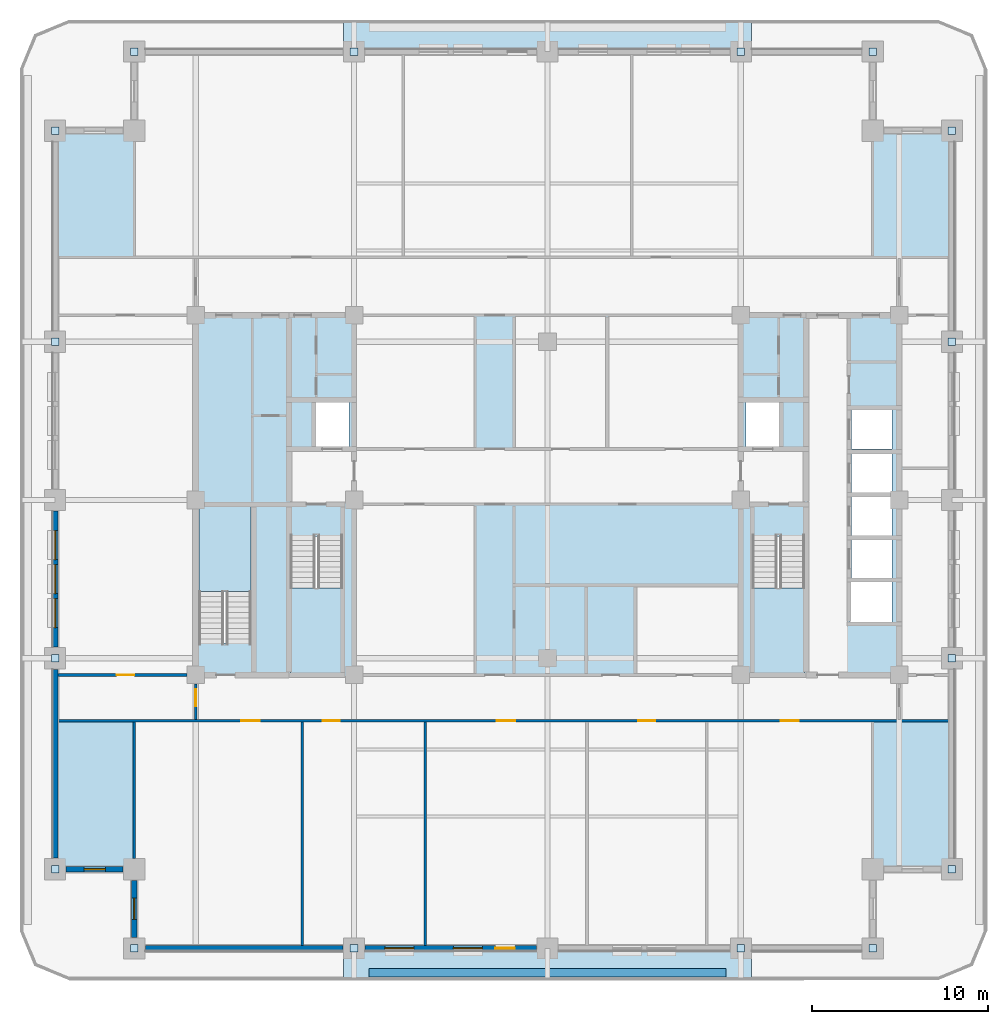
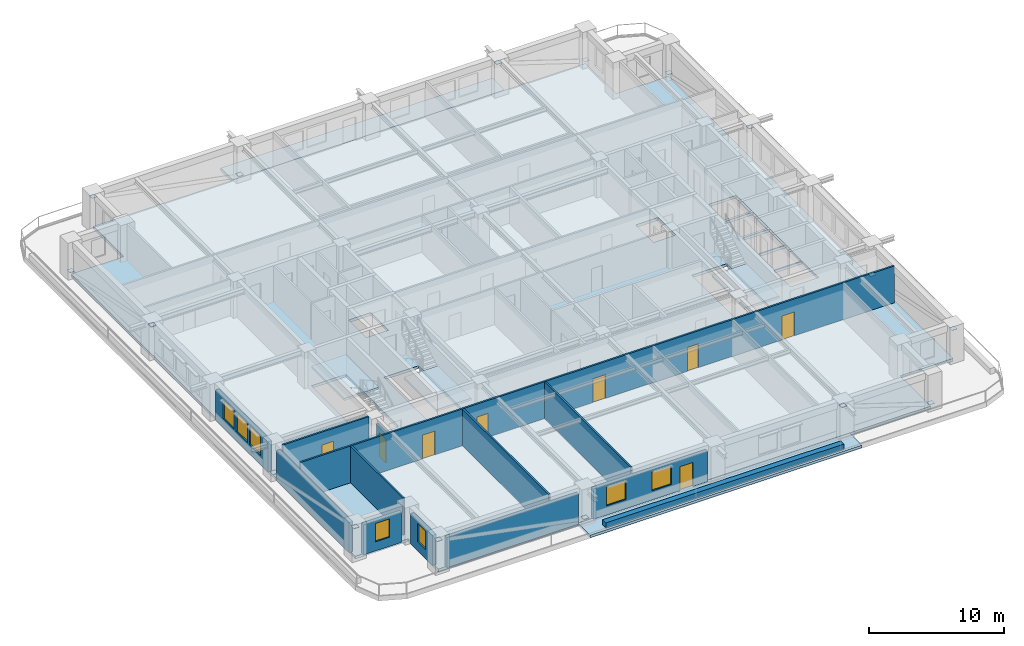
# One storey, part 2 of 15: 16 plates, 13 walls, 8 doors, 7 windows, 6 slabs, 15 openings, 3 elements without a shape of their own.
"""IFC4 building model written with IfcOpenShell, lengths in metres."""

import ifcopenshell
import ifcopenshell.guid

model = None  # the IFC model being written
_history = None  # IfcOwnerHistory: only IFC2X3 demands one
_inside = {}  # id of a spatial element -> (the spatial element, [elements in it])
_under = {}  # id of a project, library or spatial element -> (it, [spatial elements below it])
_declared = {}  # id of a project -> (the project, [libraries it declares])
_typed = {}  # id of a type object -> (the type object, [elements of that type])
_made_of = {}  # id of a material, layer set ... -> (it, [elements and type objects made of it])


def new_model(schema):
    """Start an empty IFC model of exactly this schema.

    Asked for "IFC4X3", IfcOpenShell would pick the latest addendum, in which some entities
    have other attributes; the version numbers below select the first issue.
    IFC2X3 requires an IfcOwnerHistory on every rooted entity: one is made here for all.
    """
    global model, _history
    if schema == "IFC4X3":
        model = ifcopenshell.file(schema_version=(4, 3, 0, 0))
    else:
        model = ifcopenshell.file(schema=schema)
    _inside.clear()
    _under.clear()
    _declared.clear()
    _typed.clear()
    _made_of.clear()
    _history = None
    if model.schema == "IFC2X3":
        org = make("IfcOrganization", Name="unknown")
        user = make(
            "IfcPersonAndOrganization",
            ThePerson=make("IfcPerson", FamilyName="unknown"),
            TheOrganization=org,
        )
        app = make(
            "IfcApplication",
            ApplicationDeveloper=org,
            Version="unknown",
            ApplicationFullName="unknown",
            ApplicationIdentifier="unknown",
        )
        _history = make(
            "IfcOwnerHistory",
            OwningUser=user,
            OwningApplication=app,
            ChangeAction="ADDED",
            CreationDate=0,
        )
    return model


def make(cls, **values):
    """One entity of the class cls with the attributes given. An attribute that is None is left unset."""
    return model.create_entity(
        cls, **{name: value for name, value in values.items() if value is not None}
    )


def rooted(cls, **values):
    """An entity with a GlobalId (a new one), such as an element, a storey or a relation."""
    return make(cls, GlobalId=ifcopenshell.guid.new(), OwnerHistory=_history, **values)


def si_unit(unit_type, name, prefix=None):
    """IfcSIUnit, for example si_unit("LENGTHUNIT", "METRE", prefix="MILLI")."""
    return make("IfcSIUnit", UnitType=unit_type, Prefix=prefix, Name=name)


def assignment(units):
    """IfcUnitAssignment: the units of a project."""
    return None if units is None else make("IfcUnitAssignment", Units=units)


def point(xyz):
    """IfcCartesianPoint."""
    return None if xyz is None else make("IfcCartesianPoint", Coordinates=xyz)


def direction(xyz):
    """IfcDirection."""
    return None if xyz is None else make("IfcDirection", DirectionRatios=xyz)


def frame(location, z_axis=None, x_axis=None):
    """IfcAxis2Placement3D, a coordinate frame: its origin and axes. An axis left out is left unset."""
    return make(
        "IfcAxis2Placement3D",
        Location=point(location),
        Axis=direction(z_axis),
        RefDirection=direction(x_axis),
    )


def frame_2d(location, x_axis=None):
    """IfcAxis2Placement2D, a coordinate frame in the plane: its origin and x axis."""
    return make(
        "IfcAxis2Placement2D", Location=point(location), RefDirection=direction(x_axis)
    )


def origin():
    """The frame at (0, 0, 0) with its axes left unset."""
    return frame((0.0, 0.0, 0.0))


def origin_2d():
    """The frame at (0, 0) in the plane with its x axis left unset."""
    return frame_2d((0.0, 0.0))


def place(relative_to, where):
    """IfcLocalPlacement: puts the frame where relative to a parent placement (None: the world)."""
    return make(
        "IfcLocalPlacement", PlacementRelTo=relative_to, RelativePlacement=where
    )


def context(
    kind, dimensions, precision=None, world=None, true_north=None, identifier=None
):
    """IfcGeometricRepresentationContext, for example the 3D "Model" context."""
    return make(
        "IfcGeometricRepresentationContext",
        ContextIdentifier=identifier,
        ContextType=kind,
        CoordinateSpaceDimension=dimensions,
        Precision=precision,
        WorldCoordinateSystem=world,
        TrueNorth=true_north,
    )


def subcontext(parent, identifier, kind, view, scale=None):
    """IfcGeometricRepresentationSubContext, for example "Body" below "Model"."""
    return make(
        "IfcGeometricRepresentationSubContext",
        ContextIdentifier=identifier,
        ContextType=kind,
        ParentContext=parent,
        TargetScale=scale,
        TargetView=view,
    )


def project(units=None, contexts=None):
    """IfcProject with its units and contexts."""
    return rooted(
        "IfcProject",
        Name="project",
        RepresentationContexts=contexts,
        UnitsInContext=assignment(units),
    )


def spatial(cls, under=None, at=None, **own):
    """A site, building, storey or space (cls), placed at a placement, below another one or the project."""
    s = rooted(cls, ObjectPlacement=at, **own)
    if under is not None:
        _under.setdefault(under.id(), (under, []))[1].append(s)
    return s


def polyline(points):
    """IfcPolyline through the points."""
    return make("IfcPolyline", Points=[point(p) for p in points])


def profile(cls, at=None, kind="AREA", **sizes):
    """A parametric profile (cls). Its sizes go by their IFC names, for example OverallWidth=200.0."""
    return make(cls, ProfileType=kind, Position=at, **sizes)


def rectangle(**sizes):
    """IfcRectangleProfileDef."""
    return profile("IfcRectangleProfileDef", **sizes)


def outline(outer, holes=None, kind="AREA"):
    """IfcArbitraryClosedProfileDef: a profile drawn as a closed curve; with holes, ...WithVoids."""
    if holes is None:
        return make("IfcArbitraryClosedProfileDef", ProfileType=kind, OuterCurve=outer)
    return make(
        "IfcArbitraryProfileDefWithVoids",
        ProfileType=kind,
        OuterCurve=outer,
        InnerCurves=holes,
    )


def extrude(swept, where, along, depth):
    """IfcExtrudedAreaSolid: the profile swept, set in the frame where, extruded along a direction by depth."""
    return make(
        "IfcExtrudedAreaSolid",
        SweptArea=swept,
        Position=where,
        ExtrudedDirection=direction(along),
        Depth=depth,
    )


def shape(context_of_items, identifier, shape_type, items):
    """IfcShapeRepresentation: the items that make up one representation, for example the "Body"."""
    return make(
        "IfcShapeRepresentation",
        ContextOfItems=context_of_items,
        RepresentationIdentifier=identifier,
        RepresentationType=shape_type,
        Items=items,
    )


def material(Name=None, Category=None):
    """IfcMaterial."""
    return make("IfcMaterial", Name=Name, Category=Category)


def layer(
    of_material, thickness, ventilated=None, Name=None, Category=None, Priority=None
):
    """IfcMaterialLayer: one layer of a wall or slab, of a material (None: an air gap)."""
    return make(
        "IfcMaterialLayer",
        Material=of_material,
        LayerThickness=thickness,
        IsVentilated=ventilated,
        Name=Name,
        Category=Category,
        Priority=Priority,
    )


def layer_set(layers, Name=None):
    """IfcMaterialLayerSet."""
    return make("IfcMaterialLayerSet", MaterialLayers=layers, LayerSetName=Name)


def made_of(thing, what):
    """Note that an element or type object is made of a material, layer set ...; save() writes the relation."""
    if what is not None:
        _made_of.setdefault(what.id(), (what, []))[1].append(thing)
    return thing


def type_object(cls, material=None, **own):
    """A type object (cls), such as IfcWallType, which elements share."""
    return made_of(rooted(cls, **own), material)


def element(
    cls,
    number,
    at=None,
    inside=None,
    cuts=None,
    type_object=None,
    material=None,
    context=None,
    identifier="Body",
    shape_type=None,
    held_by="IfcProductDefinitionShape",
    body=None,
    shapes=None,
    **own,
):
    """One element of the class cls, such as IfcWall. Its Tag is "e" and its number.

    at: its placement. inside: the storey or other place that contains it. cuts: it is an
    opening in that element (IfcRelVoidsElement). A single representation is given by context,
    identifier, shape_type and body (its items); several are given by shapes. held_by: the class
    of the entity that holds the representations. save() writes the other relations.
    """
    e = rooted(cls, Tag="e%d" % number, ObjectPlacement=at, **own)
    if body is not None:
        shapes = [shape(context, identifier, shape_type, body)]
    if shapes is not None:
        e.Representation = make(held_by, Representations=shapes)
    if inside is not None:
        _inside.setdefault(inside.id(), (inside, []))[1].append(e)
    if cuts is not None:
        rooted(
            "IfcRelVoidsElement", RelatingBuildingElement=cuts, RelatedOpeningElement=e
        )
    if type_object is not None:
        _typed.setdefault(type_object.id(), (type_object, []))[1].append(e)
    return made_of(e, material)


def fill(opening, filler):
    """IfcRelFillsElement: the door or window that sits in an opening."""
    return rooted(
        "IfcRelFillsElement",
        RelatingOpeningElement=opening,
        RelatedBuildingElement=filler,
    )


def aggregate(whole, parts):
    """IfcRelAggregates: a whole, such as a stair, and the parts it consists of."""
    return rooted("IfcRelAggregates", RelatingObject=whole, RelatedObjects=parts)


def save(model, path):
    """Write the relations noted so far, then the file.

    IfcRelAggregates (storeys below a building ...), IfcRelContainedInSpatialStructure (elements
    in a storey), IfcRelDefinesByType, IfcRelAssociatesMaterial and IfcRelDeclares: one each for
    every whole, place, type object, material and project.
    """
    for whole, parts in _under.values():
        aggregate(whole, parts)
    for where, things in _inside.values():
        rooted(
            "IfcRelContainedInSpatialStructure",
            RelatedElements=things,
            RelatingStructure=where,
        )
    for kind, things in _typed.values():
        rooted("IfcRelDefinesByType", RelatedObjects=things, RelatingType=kind)
    for what, things in _made_of.values():
        rooted("IfcRelAssociatesMaterial", RelatedObjects=things, RelatingMaterial=what)
    for by, libraries in _declared.values():
        rooted("IfcRelDeclares", RelatingContext=by, RelatedDefinitions=libraries)
    model.write(path)


model = new_model("IFC4")

# Units and contexts
model_context = context("Model", 3, precision=1e-05, world=origin(), true_north=direction((0.0, 1.0)))
body_context = subcontext(model_context, "Body", "Model", "MODEL_VIEW")
ifc_project = project(units=[si_unit("LENGTHUNIT", "METRE"), si_unit("AREAUNIT", "SQUARE_METRE"), si_unit("VOLUMEUNIT", "CUBIC_METRE"), si_unit("PLANEANGLEUNIT", "RADIAN"), si_unit("MASSUNIT", "GRAM", prefix="KILO")], contexts=[model_context])

# Site, building, storey
site_placement = place(None, origin())
site = spatial("IfcSite", under=ifc_project, at=site_placement, CompositionType="ELEMENT")
building_placement = place(site_placement, origin())
building = spatial("IfcBuilding", under=site, at=building_placement, Name="Zulmaris Gate Convention Tower", CompositionType="ELEMENT")
storey_placement = place(building_placement, frame((0.0, 0.0, 132.059814453125)))
storey = spatial("IfcBuildingStorey", under=building, at=storey_placement, Name="L33", CompositionType="ELEMENT", Elevation=132.059814453125)

# Plates
ifc_material_1 = material(Name="Steel S460", Category="steel")
ifc_layer_1 = layer(ifc_material_1, 0.02490234375, Name="Steel S460")
ifc_layer_set_1 = layer_set([ifc_layer_1], Name="Steel S460")
plate_type = type_object("IfcPlateType", Name="NP-CAP-440", PredefinedType="USERDEFINED", material=ifc_layer_set_1)
for number, where, z_axis, x_axis, name in (
    (1, (-28.0, -9.0, 0.28759765625), (0.0, 0.0, 1.0), (1.0, 0.0, 0.0), "L33 Steel Node Plate PBR-L33-SW-W-CAP"),
    (2, (-28.0, -21.0, 2.687744140625), (0.0, 0.0, 1.0), (1.0, 0.0, 0.0), "L33 Steel Node Plate PBR-L33-SW-W-CAPB"),
    (3, (-28.0, 21.0, 0.28759765625), (0.0, 0.0, 1.0), (1.0, 0.0, 0.0), "L33 Steel Node Plate PBR-L33-NW-W-CAP"),
    (4, (-28.0, 9.0, 2.687744140625), (0.0, 0.0, 1.0), (1.0, 0.0, 0.0), "L33 Steel Node Plate PBR-L33-NW-W-CAPB"),
    (5, (23.0, -9.0, 0.28759765625), (0.0, 0.0, 1.0), (1.0, 0.0, 0.0), "L33 Steel Node Plate PBR-L33-SE-E-CAP"),
    (6, (23.0, -21.0, 2.687744140625), (0.0, 0.0, 1.0), (1.0, 0.0, 0.0), "L33 Steel Node Plate PBR-L33-SE-E-CAPB"),
    (7, (23.0, 21.0, 0.28759765625), (0.0, 0.0, 1.0), (1.0, 0.0, 0.0), "L33 Steel Node Plate PBR-L33-NE-E-CAP"),
    (8, (23.0, 9.0, 2.687744140625), (0.0, 0.0, 1.0), (1.0, 0.0, 0.0), "L33 Steel Node Plate PBR-L33-NE-E-CAPB"),
    (9, (-11.0, -25.5, 0.28759765625), (0.0, 0.0, 1.0), (1.0, 0.0, 0.0), "L33 Steel Node Plate PBR-L33-SW-S-CAP"),
    (10, (-23.5, -25.5, 2.687744140625), (0.0, 0.0, 1.0), (1.0, 0.0, 0.0), "L33 Steel Node Plate PBR-L33-SW-S-CAPB"),
    (11, (18.5, -25.5, 0.28759765625), (0.0, 0.0, 1.0), (1.0, 0.0, 0.0), "L33 Steel Node Plate PBR-L33-SE-S-CAP"),
    (12, (11.0, -25.5, 2.687744140625), (0.0, 0.0, 1.0), (1.0, 0.0, 0.0), "L33 Steel Node Plate PBR-L33-SE-S-CAPB"),
    (13, (-11.0, 25.5, 0.28759765625), (0.0, 0.0, 1.0), (1.0, 0.0, 0.0), "L33 Steel Node Plate PBR-L33-NW-N-CAP"),
    (14, (-23.5, 25.5, 2.687744140625), (0.0, 0.0, 1.0), (1.0, 0.0, 0.0), "L33 Steel Node Plate PBR-L33-NW-N-CAPB"),
    (15, (18.5, 25.5, 0.28759765625), (0.0, 0.0, 1.0), (1.0, 0.0, 0.0), "L33 Steel Node Plate PBR-L33-NE-N-CAP"),
    (16, (11.0, 25.5, 2.687744140625), (0.0, 0.0, 1.0), (1.0, 0.0, 0.0), "L33 Steel Node Plate PBR-L33-NE-N-CAPB"),
):
    element("IfcPlate", number, at=place(storey_placement, frame(where, z_axis=z_axis, x_axis=x_axis)), inside=storey, type_object=plate_type, Name=name, ObjectType="FLANGE PLATE", PredefinedType="USERDEFINED", context=body_context, shape_type="SweptSolid", body=[
        extrude(rectangle(XDim=0.43994140625, YDim=0.43994140625, at=origin_2d()), origin(), (0.0, 0.0, 1.0), 0.02490234375),
    ])

# Slabs
ifc_material_2 = material(Name="Precast concrete C50/60", Category="concrete")
ifc_layer_2 = layer(ifc_material_2, 0.239990234375, Name="Precast concrete C50/60")
ifc_layer_set_2 = layer_set([ifc_layer_2], Name="Precast concrete C50/60")
slab_type_1 = type_object("IfcSlabType", Name="SL-BAL-240", PredefinedType="FLOOR", material=ifc_layer_set_2)
slab_1_placement = place(storey_placement, frame((0.0, 0.0, -0.25)))
element("IfcSlab", 17, at=slab_1_placement, inside=storey, type_object=slab_type_1, Name="L33 South Tree-Balcony Planter Slab", PredefinedType="FLOOR", context=body_context, shape_type="SweptSolid", body=[
    extrude(outline(polyline([(-11.597900390625, -27.300048828125), (-11.597900390625, -25.5), (11.597900390625, -25.5), (11.597900390625, -27.300048828125), (-11.597900390625, -27.300048828125)])), origin(), (0.0, 0.0, 1.0), 0.239990234375),
])
slab_2_placement = place(storey_placement, frame((0.0, 0.0, -0.25)))
element("IfcSlab", 18, at=slab_2_placement, inside=storey, type_object=slab_type_1, Name="L33 North Tree-Balcony Planter Slab", PredefinedType="FLOOR", context=body_context, shape_type="SweptSolid", body=[
    extrude(outline(polyline([(11.597900390625, 27.300048828125), (11.597900390625, 25.5), (-11.597900390625, 25.5), (-11.597900390625, 27.300048828125), (11.597900390625, 27.300048828125)])), origin(), (0.0, 0.0, 1.0), 0.239990234375),
])
ifc_material_3 = material(Name="Concrete C50/60", Category="concrete")
ifc_layer_3 = layer(ifc_material_3, 0.25, Name="Concrete C50/60")
ifc_layer_set_3 = layer_set([ifc_layer_3], Name="Concrete C50/60")
slab_type_2 = type_object("IfcSlabType", Name="SL-FLR-250", PredefinedType="FLOOR", material=ifc_layer_set_3)
slab_3_placement = place(storey_placement, frame((0.0, 0.0, -0.25)))
element("IfcSlab", 19, at=slab_3_placement, inside=storey, type_object=slab_type_2, Name="L33 Shifted Notched-Square Structural Floor Slab", PredefinedType="FLOOR", context=body_context, shape_type="SweptSolid", body=[
    extrude(outline(polyline([(-23.5, -25.5), (18.5, -25.5), (18.5, -21.0), (23.0, -21.0), (23.0, 21.0), (18.5, 21.0), (18.5, 25.5), (-23.5, 25.5), (-23.5, 21.0), (-28.0, 21.0), (-28.0, -21.0), (-23.5, -21.0), (-23.5, -25.5)]), holes=[polyline([(-14.6201171875, -2.080078125), (-14.6201171875, -9.85009765625), (-11.659912109375, -9.85009765625), (-11.659912109375, -2.080078125), (-14.6201171875, -2.080078125)]), polyline([(11.659912109375, -2.080078125), (11.659912109375, -9.85009765625), (14.6201171875, -9.85009765625), (14.6201171875, -2.080078125), (11.659912109375, -2.080078125)]), polyline([(-16.860107421875, -8.1201171875), (-16.860107421875, -0.35009765625), (-19.820068359375, -0.35009765625), (-19.820068359375, -8.1201171875), (-16.860107421875, -8.1201171875)]), polyline([(-13.199951171875, 3.0), (-11.300048828125, 3.0), (-11.300048828125, 5.60009765625), (-13.199951171875, 5.60009765625), (-13.199951171875, 3.0)]), polyline([(11.300048828125, 3.0), (13.199951171875, 3.0), (13.199951171875, 5.60009765625), (11.300048828125, 5.60009765625), (11.300048828125, 3.0)]), polyline([(17.199951171875, -7.0), (19.60009765625, -7.0), (19.60009765625, -4.60009765625), (17.199951171875, -4.60009765625), (17.199951171875, -7.0)]), polyline([(17.300048828125, -4.5), (19.60009765625, -4.5), (19.60009765625, -2.199951171875), (17.300048828125, -2.199951171875), (17.300048828125, -4.5)]), polyline([(17.300048828125, -2.10009765625), (19.60009765625, -2.10009765625), (19.60009765625, 0.199951171875), (17.300048828125, 0.199951171875), (17.300048828125, -2.10009765625)]), polyline([(17.300048828125, 0.39990234375), (19.60009765625, 0.39990234375), (19.60009765625, 2.699951171875), (17.300048828125, 2.699951171875), (17.300048828125, 0.39990234375)]), polyline([(17.300048828125, 2.89990234375), (19.60009765625, 2.89990234375), (19.60009765625, 5.199951171875), (17.300048828125, 5.199951171875), (17.300048828125, 2.89990234375)])]), origin(), (0.0, 0.0, 1.0), 0.25),
])

# Stair, slab
ifc_material_4 = material(Name="Concrete C45/55", Category="concrete")
stair_type = type_object("IfcStairType", Name="ST-CORE-DOGLEG", PredefinedType="HALF_TURN_STAIR", material=ifc_material_4)
stair_1_placement = place(storey_placement, origin())
stair_1 = element("IfcStair", 20, at=stair_1_placement, inside=storey, type_object=stair_type, Name="L33 Core Exit Stair ST-1", PredefinedType="HALF_TURN_STAIR")
ifc_layer_4 = layer(ifc_material_4, 0.199951171875, Name="Concrete C45/55")
ifc_layer_set_4 = layer_set([ifc_layer_4], Name="Concrete C45/55")
slab_type_3 = type_object("IfcSlabType", Name="SL-LND-200", PredefinedType="LANDING", material=ifc_layer_set_4)
slab_4_placement = place(storey_placement, frame((0.0, 0.0, 1.5849609375)))
slab_4 = element("IfcSlab", 21, at=slab_4_placement, type_object=slab_type_3, Name="ST-1 landing 1", PredefinedType="LANDING", context=body_context, shape_type="SweptSolid", body=[
    extrude(outline(polyline([(-14.6201171875, -5.0), (-14.6201171875, -9.85009765625), (-11.659912109375, -9.85009765625), (-11.659912109375, -5.0), (-14.6201171875, -5.0)])), origin(), (0.0, 0.0, 1.0), 0.2001953125),
])
aggregate(stair_1, [slab_4])

stair_2_placement = place(storey_placement, origin())
stair_2 = element("IfcStair", 22, at=stair_2_placement, inside=storey, type_object=stair_type, Name="L33 Core Exit Stair ST-2", PredefinedType="HALF_TURN_STAIR")
slab_5_placement = place(storey_placement, frame((0.0, 0.0, 1.5849609375)))
slab_5 = element("IfcSlab", 23, at=slab_5_placement, type_object=slab_type_3, Name="ST-2 landing 1", PredefinedType="LANDING", context=body_context, shape_type="SweptSolid", body=[
    extrude(outline(polyline([(11.659912109375, -5.0), (11.659912109375, -9.85009765625), (14.6201171875, -9.85009765625), (14.6201171875, -5.0), (11.659912109375, -5.0)])), origin(), (0.0, 0.0, 1.0), 0.2001953125),
])
aggregate(stair_2, [slab_5])

stair_3_placement = place(storey_placement, origin())
stair_3 = element("IfcStair", 24, at=stair_3_placement, inside=storey, type_object=stair_type, Name="L33 Core Exit Stair ST-3", PredefinedType="HALF_TURN_STAIR")
slab_6_placement = place(storey_placement, frame((0.0, 0.0, 1.5849609375)))
slab_6 = element("IfcSlab", 25, at=slab_6_placement, type_object=slab_type_3, Name="ST-3 landing 1", PredefinedType="LANDING", context=body_context, shape_type="SweptSolid", body=[
    extrude(outline(polyline([(-16.860107421875, -5.199951171875), (-16.860107421875, -0.35009765625), (-19.820068359375, -0.35009765625), (-19.820068359375, -5.199951171875), (-16.860107421875, -5.199951171875)])), origin(), (0.0, 0.0, 1.0), 0.2001953125),
])
aggregate(stair_3, [slab_6])

# Wall, openings, doors
ifc_material_5 = material(Name="Gypsum Metal Stud Partition")
ifc_layer_5 = layer(ifc_material_5, 0.14990234375, Name="Gypsum Metal Stud Partition")
ifc_layer_set_5 = layer_set([ifc_layer_5], Name="Gypsum Metal Stud Partition")
wall_type_1 = type_object("IfcWallType", Name="PART-150", PredefinedType="PARTITIONING", material=ifc_layer_set_5)
wall_1_placement = place(storey_placement, frame((-27.8349609375, -12.550048828125, 0.0), z_axis=(0.0, 0.0, 1.0), x_axis=(1.0, 0.0, 0.0)))
wall_1 = element("IfcWall", 26, at=wall_1_placement, inside=storey, type_object=wall_type_1, Name="WL-L33-021", PredefinedType="PARTITIONING", context=body_context, shape_type="SweptSolid", body=[
    extrude(rectangle(XDim=50.669921875, YDim=0.14990234375, at=frame_2d((25.3349609375, 0.0))), origin(), (0.0, 0.0, 1.0), 3.320068359375),
])
opening_1_placement = place(wall_1_placement, frame((10.429931640625, 0.0, 0.0)))
opening_1 = element("IfcOpeningElement", 27, at=opening_1_placement, cuts=wall_1, Name="Opening D-09", PredefinedType="OPENING", context=body_context, shape_type="SweptSolid", body=[
    extrude(rectangle(XDim=1.050048828125, YDim=2.14990234375, at=frame_2d((0.52490234375, 1.074951171875))), frame((0.0, 0.0849609375, 0.0), z_axis=(0.0, -1.0, 0.0), x_axis=(1.0, 0.0, 0.0)), (0.0, 0.0, 1.0), 0.169921875),
])
opening_2_placement = place(wall_1_placement, frame((15.06005859375, 0.0, 0.0)))
opening_2 = element("IfcOpeningElement", 28, at=opening_2_placement, cuts=wall_1, Name="Opening D-11", PredefinedType="OPENING", context=body_context, shape_type="SweptSolid", body=[
    extrude(rectangle(XDim=0.949951171875, YDim=2.14990234375, at=frame_2d((0.47509765625, 1.074951171875))), frame((0.0, 0.0849609375, 0.0), z_axis=(0.0, -1.0, 0.0), x_axis=(1.0, 0.0, 0.0)), (0.0, 0.0, 1.0), 0.169921875),
])
opening_3_placement = place(wall_1_placement, frame((24.9599609375, 0.0, 0.0)))
opening_3 = element("IfcOpeningElement", 29, at=opening_3_placement, cuts=wall_1, Name="Opening D-09", PredefinedType="OPENING", context=body_context, shape_type="SweptSolid", body=[
    extrude(rectangle(XDim=1.050048828125, YDim=2.14990234375, at=frame_2d((0.52490234375, 1.074951171875))), frame((0.0, 0.0849609375, 0.0), z_axis=(0.0, -1.0, 0.0), x_axis=(1.0, 0.0, 0.0)), (0.0, 0.0, 1.0), 0.169921875),
])
opening_4_placement = place(wall_1_placement, frame((33.010009765625, 0.0, 0.0)))
opening_4 = element("IfcOpeningElement", 30, at=opening_4_placement, cuts=wall_1, Name="Opening D-11", PredefinedType="OPENING", context=body_context, shape_type="SweptSolid", body=[
    extrude(rectangle(XDim=0.949951171875, YDim=2.14990234375, at=frame_2d((0.47509765625, 1.074951171875))), frame((0.0, 0.0849609375, 0.0), z_axis=(0.0, -1.0, 0.0), x_axis=(1.0, 0.0, 0.0)), (0.0, 0.0, 1.0), 0.169921875),
])
opening_5_placement = place(wall_1_placement, frame((41.090087890625, 0.0, 0.0)))
opening_5 = element("IfcOpeningElement", 31, at=opening_5_placement, cuts=wall_1, Name="Opening D-09", PredefinedType="OPENING", context=body_context, shape_type="SweptSolid", body=[
    extrude(rectangle(XDim=1.050048828125, YDim=2.14990234375, at=frame_2d((0.52490234375, 1.074951171875))), frame((0.0, 0.0849609375, 0.0), z_axis=(0.0, -1.0, 0.0), x_axis=(1.0, 0.0, 0.0)), (0.0, 0.0, 1.0), 0.169921875),
])
ifc_material_6 = material(Name="Fire-Rated Steel", Category="steel")
door_type_1 = type_object("IfcDoorType", Name="DR-1050-FD", OperationType="NOTDEFINED", PredefinedType="DOOR", material=ifc_material_6)
door_1_placement = place(opening_1_placement, origin())
door_1 = element("IfcDoor", 32, at=door_1_placement, inside=storey, type_object=door_type_1, Name="L33 Research Reading Room Door 32", OperationType="SINGLE_SWING_LEFT", OverallHeight=2.14990234375, OverallWidth=1.050048828125, PredefinedType="DOOR", context=body_context, shape_type="SweptSolid", body=[
    extrude(rectangle(XDim=1.050048828125, YDim=2.14990234375, at=frame_2d((0.52490234375, 1.074951171875))), frame((0.0, 0.02490234375, 0.0), z_axis=(0.0, -1.0, 0.0), x_axis=(1.0, 0.0, 0.0)), (0.0, 0.0, 1.0), 0.050048828125),
])
fill(opening_1, door_1)
door_2_placement = place(opening_3_placement, origin())
door_2 = element("IfcDoor", 33, at=door_2_placement, inside=storey, type_object=door_type_1, Name="L33 Legal Library Room Door 34", OperationType="SINGLE_SWING_LEFT", OverallHeight=2.14990234375, OverallWidth=1.050048828125, PredefinedType="DOOR", context=body_context, shape_type="SweptSolid", body=[
    extrude(rectangle(XDim=1.050048828125, YDim=2.14990234375, at=frame_2d((0.52490234375, 1.074951171875))), frame((0.0, 0.02490234375, 0.0), z_axis=(0.0, -1.0, 0.0), x_axis=(1.0, 0.0, 0.0)), (0.0, 0.0, 1.0), 0.050048828125),
])
fill(opening_3, door_2)
door_3_placement = place(opening_5_placement, origin())
door_3 = element("IfcDoor", 34, at=door_3_placement, inside=storey, type_object=door_type_1, Name="L33 Research Reading Room Door 36", OperationType="SINGLE_SWING_LEFT", OverallHeight=2.14990234375, OverallWidth=1.050048828125, PredefinedType="DOOR", context=body_context, shape_type="SweptSolid", body=[
    extrude(rectangle(XDim=1.050048828125, YDim=2.14990234375, at=frame_2d((0.52490234375, 1.074951171875))), frame((0.0, 0.02490234375, 0.0), z_axis=(0.0, -1.0, 0.0), x_axis=(1.0, 0.0, 0.0)), (0.0, 0.0, 1.0), 0.050048828125),
])
fill(opening_5, door_3)
ifc_material_7 = material(Name="Fire-Rated Timber", Category="wood")
door_type_2 = type_object("IfcDoorType", Name="DR-950-FD", OperationType="NOTDEFINED", PredefinedType="DOOR", material=ifc_material_7)
door_4_placement = place(opening_2_placement, origin())
door_4 = element("IfcDoor", 35, at=door_4_placement, inside=storey, type_object=door_type_2, Name="L33 Quiet Focus Study Door 33", OperationType="SINGLE_SWING_RIGHT", OverallHeight=2.14990234375, OverallWidth=0.949951171875, PredefinedType="DOOR", context=body_context, shape_type="SweptSolid", body=[
    extrude(rectangle(XDim=0.949951171875, YDim=2.14990234375, at=frame_2d((0.47509765625, 1.074951171875))), frame((0.0, 0.02490234375, 0.0), z_axis=(0.0, -1.0, 0.0), x_axis=(1.0, 0.0, 0.0)), (0.0, 0.0, 1.0), 0.050048828125),
])
fill(opening_2, door_4)
door_5_placement = place(opening_4_placement, origin())
door_5 = element("IfcDoor", 36, at=door_5_placement, inside=storey, type_object=door_type_2, Name="L33 Editorial Focus Suite Door 35", OperationType="SINGLE_SWING_RIGHT", OverallHeight=2.14990234375, OverallWidth=0.949951171875, PredefinedType="DOOR", context=body_context, shape_type="SweptSolid", body=[
    extrude(rectangle(XDim=0.949951171875, YDim=2.14990234375, at=frame_2d((0.47509765625, 1.074951171875))), frame((0.0, 0.02490234375, 0.0), z_axis=(0.0, -1.0, 0.0), x_axis=(1.0, 0.0, 0.0)), (0.0, 0.0, 1.0), 0.050048828125),
])
fill(opening_4, door_5)

# Wall, opening, door
wall_2_placement = place(storey_placement, frame((-27.8349609375, -9.949951171875, 0.0), z_axis=(0.0, 0.0, 1.0), x_axis=(1.0, 0.0, 0.0)))
wall_2 = element("IfcWall", 37, at=wall_2_placement, inside=storey, type_object=wall_type_1, Name="WL-L33-022", PredefinedType="PARTITIONING", context=body_context, shape_type="SweptSolid", body=[
    extrude(rectangle(XDim=7.328857421875, YDim=0.14990234375, at=frame_2d((3.66455078125, 0.0))), origin(), (0.0, 0.0, 1.0), 3.320068359375),
])
opening_6_placement = place(wall_2_placement, frame((3.3349609375, 0.0, 0.0)))
opening_6 = element("IfcOpeningElement", 38, at=opening_6_placement, cuts=wall_2, Name="Opening D-10", PredefinedType="OPENING", context=body_context, shape_type="SweptSolid", body=[
    extrude(rectangle(XDim=1.0, YDim=2.14990234375, at=frame_2d((0.5, 1.074951171875))), frame((0.0, 0.0849609375, 0.0), z_axis=(0.0, -1.0, 0.0), x_axis=(1.0, 0.0, 0.0)), (0.0, 0.0, 1.0), 0.169921875),
])
door_type_3 = type_object("IfcDoorType", Name="DR-1000-FD", OperationType="NOTDEFINED", PredefinedType="DOOR", material=ifc_material_7)
door_6_placement = place(opening_6_placement, origin())
door_6 = element("IfcDoor", 39, at=door_6_placement, inside=storey, type_object=door_type_3, Name="L33 West Workplace South Door 48", OperationType="SINGLE_SWING_LEFT", OverallHeight=2.14990234375, OverallWidth=1.0, PredefinedType="DOOR", context=body_context, shape_type="SweptSolid", body=[
    extrude(rectangle(XDim=1.0, YDim=2.14990234375, at=frame_2d((0.5, 1.074951171875))), frame((0.0, 0.02490234375, 0.0), z_axis=(0.0, -1.0, 0.0), x_axis=(1.0, 0.0, 0.0)), (0.0, 0.0, 1.0), 0.050048828125),
])
fill(opening_6, door_6)

# Wall
wall_3_placement = place(storey_placement, frame((-23.5, -20.39404296875, 0.0), z_axis=(0.0, 0.0, 1.0), x_axis=(0.0, 1.0, 0.0)))
element("IfcWall", 40, at=wall_3_placement, inside=storey, type_object=wall_type_1, Name="WL-L33-072", PredefinedType="PARTITIONING", context=body_context, shape_type="SweptSolid", body=[
    extrude(rectangle(XDim=7.76611328125, YDim=0.14990234375, at=frame_2d((3.883056640625, 0.0))), origin(), (0.0, 0.0, 1.0), 3.320068359375),
])

# Wall, opening, door
wall_4_placement = place(storey_placement, frame((-20.0, -12.471923828125, 0.0), z_axis=(0.0, 0.0, 1.0), x_axis=(0.0, 1.0, 0.0)))
wall_4 = element("IfcWall", 41, at=wall_4_placement, inside=storey, type_object=wall_type_1, Name="WL-L33-074", PredefinedType="PARTITIONING", context=body_context, shape_type="SweptSolid", body=[
    extrude(rectangle(XDim=2.015869140625, YDim=0.14990234375, at=frame_2d((1.0078125, 0.0))), origin(), (0.0, 0.0, 1.0), 2.81005859375),
])
opening_7_placement = place(wall_4_placement, frame((0.7470703125, 0.0, 0.0)))
opening_7 = element("IfcOpeningElement", 42, at=opening_7_placement, cuts=wall_4, Name="Opening D-11", PredefinedType="OPENING", context=body_context, shape_type="SweptSolid", body=[
    extrude(rectangle(XDim=0.949951171875, YDim=2.14990234375, at=frame_2d((0.47509765625, 1.074951171875))), frame((0.0, 0.0849609375, 0.0), z_axis=(0.0, -1.0, 0.0), x_axis=(1.0, 0.0, 0.0)), (0.0, 0.0, 1.0), 0.169921875),
])
door_7_placement = place(opening_7_placement, origin())
door_7 = element("IfcDoor", 43, at=door_7_placement, inside=storey, type_object=door_type_2, Name="L33 SW Spur Door 46", OperationType="SINGLE_SWING_LEFT", OverallHeight=2.14990234375, OverallWidth=0.949951171875, PredefinedType="DOOR", context=body_context, shape_type="SweptSolid", body=[
    extrude(rectangle(XDim=0.949951171875, YDim=2.14990234375, at=frame_2d((0.47509765625, 1.074951171875))), frame((0.0, 0.02490234375, 0.0), z_axis=(0.0, -1.0, 0.0), x_axis=(1.0, 0.0, 0.0)), (0.0, 0.0, 1.0), 0.050048828125),
])
fill(opening_7, door_7)

# Walls
for number, where, z_axis, x_axis, name in (
    (44, (-13.949951171875, -25.3349609375, 0.0), (0.0, 0.0, 1.0), (0.0, 1.0, 0.0), "WL-L33-078"),
    (45, (-6.949951171875, -25.3349609375, 0.0), (0.0, 0.0, 1.0), (0.0, 1.0, 0.0), "WL-L33-082"),
):
    element("IfcWall", number, at=place(storey_placement, frame(where, z_axis=z_axis, x_axis=x_axis)), inside=storey, type_object=wall_type_1, Name=name, PredefinedType="PARTITIONING", context=body_context, shape_type="SweptSolid", body=[
        extrude(rectangle(XDim=12.70703125, YDim=0.14990234375, at=frame_2d((6.353515625, 0.0))), origin(), (0.0, 0.0, 1.0), 3.320068359375),
    ])
ifc_material_8 = material(Name="Botanical Green Glazed Precast Concrete C40/50", Category="concrete")
ifc_layer_6 = layer(ifc_material_8, 0.419921875, Name="Botanical Green Glazed Precast Concrete C40/50")
ifc_layer_set_6 = layer_set([ifc_layer_6], Name="Botanical Green Glazed Precast Concrete C40/50")
wall_type_2 = type_object("IfcWallType", Name="PLANTER-CURB-200", PredefinedType="PARAPET", material=ifc_layer_set_6)
wall_5_placement = place(storey_placement, frame((-10.14990234375, -26.8798828125, -0.0400390625), z_axis=(0.0, 0.0, 1.0), x_axis=(1.0, 0.0, 0.0)))
element("IfcWall", 46, at=wall_5_placement, inside=storey, type_object=wall_type_2, Name="L33 Full-Length Balcony Tree Planter Trough", PredefinedType="PARAPET", context=body_context, shape_type="SweptSolid", body=[
    extrude(rectangle(XDim=20.2998046875, YDim=0.47998046875, at=frame_2d((10.14990234375, 0.0))), origin(), (0.0, 0.0, 1.0), 0.52001953125),
])

# Wall, opening, window
ifc_material_9 = material(Name="Precast concrete C40/50", Category="concrete")
ifc_layer_7 = layer(ifc_material_9, 0.300048828125, Name="Precast concrete C40/50")
ifc_layer_set_7 = layer_set([ifc_layer_7], Name="Precast concrete C40/50")
wall_type_3 = type_object("IfcWallType", Name="PRECAST-PIER-300", PredefinedType="STANDARD", material=ifc_layer_set_7)
wall_6_placement = place(storey_placement, frame((-27.3701171875, -21.0, 0.0), z_axis=(0.0, 0.0, 1.0), x_axis=(1.0, 0.0, 0.0)))
wall_6 = element("IfcWall", 47, at=wall_6_placement, inside=storey, type_object=wall_type_3, Name="EW-L33-NOTCH-SW1_0", PredefinedType="STANDARD", context=body_context, shape_type="SweptSolid", body=[
    extrude(rectangle(XDim=3.240234375, YDim=0.300048828125, at=frame_2d((1.6201171875, 0.0))), origin(), (0.0, 0.0, 1.0), 2.712158203125),
])
opening_8_placement = place(wall_6_placement, frame((1.02001953125, 0.0, 0.820068359375)))
opening_8 = element("IfcOpeningElement", 48, at=opening_8_placement, cuts=wall_6, Name="Opening W-04", PredefinedType="OPENING", context=body_context, shape_type="SweptSolid", body=[
    extrude(rectangle(XDim=1.199951171875, YDim=1.64990234375, at=frame_2d((0.60009765625, 0.824951171875))), frame((0.0, 0.16015625, 0.0), z_axis=(0.0, -1.0, 0.0), x_axis=(1.0, 0.0, 0.0)), (0.0, 0.0, 1.0), 0.320068359375),
])
ifc_material_10 = material(Name="Low-E Laminated Double Glazing in Aluminium Frame", Category="aluminium")
window_type_1 = type_object("IfcWindowType", Name="WIN-1200x2100", PartitioningType="SINGLE_PANEL", PredefinedType="WINDOW", material=ifc_material_10)
window_1_placement = place(opening_8_placement, origin())
window_1 = element("IfcWindow", 49, at=window_1_placement, inside=storey, type_object=window_type_1, Name="WN-EW-L33-NOTCH-SW1_0", OverallHeight=1.64990234375, OverallWidth=1.199951171875, PartitioningType="SINGLE_PANEL", PredefinedType="WINDOW", context=body_context, shape_type="SweptSolid", body=[
    extrude(rectangle(XDim=1.199951171875, YDim=1.64990234375, at=frame_2d((0.60009765625, 0.824951171875))), frame((0.0, 0.030029296875, 0.0), z_axis=(0.0, -1.0, 0.0), x_axis=(1.0, 0.0, 0.0)), (0.0, 0.0, 1.0), 0.06005859375),
])
fill(opening_8, window_1)

wall_7_placement = place(storey_placement, frame((-23.5, -21.6298828125, 0.0), z_axis=(0.0, 0.0, 1.0), x_axis=(0.0, -1.0, 0.0)))
wall_7 = element("IfcWall", 50, at=wall_7_placement, inside=storey, type_object=wall_type_3, Name="EW-L33-NOTCH-SW2_0", PredefinedType="STANDARD", context=body_context, shape_type="SweptSolid", body=[
    extrude(rectangle(XDim=3.240234375, YDim=0.300048828125, at=frame_2d((1.6201171875, 0.0))), origin(), (0.0, 0.0, 1.0), 2.712158203125),
])
opening_9_placement = place(wall_7_placement, frame((1.02001953125, 0.0, 0.820068359375)))
opening_9 = element("IfcOpeningElement", 51, at=opening_9_placement, cuts=wall_7, Name="Opening W-04", PredefinedType="OPENING", context=body_context, shape_type="SweptSolid", body=[
    extrude(rectangle(XDim=1.199951171875, YDim=1.64990234375, at=frame_2d((0.60009765625, 0.824951171875))), frame((0.0, 0.16015625, 0.0), z_axis=(0.0, -1.0, 0.0), x_axis=(1.0, 0.0, 0.0)), (0.0, 0.0, 1.0), 0.320068359375),
])
window_2_placement = place(opening_9_placement, origin())
window_2 = element("IfcWindow", 52, at=window_2_placement, inside=storey, type_object=window_type_1, Name="WN-EW-L33-NOTCH-SW2_0", OverallHeight=1.64990234375, OverallWidth=1.199951171875, PartitioningType="SINGLE_PANEL", PredefinedType="WINDOW", context=body_context, shape_type="SweptSolid", body=[
    extrude(rectangle(XDim=1.199951171875, YDim=1.64990234375, at=frame_2d((0.60009765625, 0.824951171875))), frame((0.0, 0.030029296875, 0.0), z_axis=(0.0, -1.0, 0.0), x_axis=(1.0, 0.0, 0.0)), (0.0, 0.0, 1.0), 0.06005859375),
])
fill(opening_9, window_2)

# Wall
wall_8_placement = place(storey_placement, frame((-22.8701171875, -25.5, 0.0), z_axis=(0.0, 0.0, 1.0), x_axis=(1.0, 0.0, 0.0)))
element("IfcWall", 53, at=wall_8_placement, inside=storey, type_object=wall_type_3, Name="EW-L33-S-0_0", PredefinedType="STANDARD", context=body_context, shape_type="SweptSolid", body=[
    extrude(rectangle(XDim=11.240234375, YDim=0.300048828125, at=frame_2d((5.6201171875, 0.0))), origin(), (0.0, 0.0, 1.0), 2.712158203125),
])

# Wall, openings, door, windows
wall_9_placement = place(storey_placement, frame((-10.3701171875, -25.5, 0.0), z_axis=(0.0, 0.0, 1.0), x_axis=(1.0, 0.0, 0.0)))
wall_9 = element("IfcWall", 54, at=wall_9_placement, inside=storey, type_object=wall_type_3, Name="EW-L33-S-1_0", PredefinedType="STANDARD", context=body_context, shape_type="SweptSolid", body=[
    extrude(rectangle(XDim=9.740234375, YDim=0.300048828125, at=frame_2d((4.8701171875, 0.0))), origin(), (0.0, 0.0, 1.0), 2.712158203125),
])
opening_10_placement = place(wall_9_placement, frame((7.409912109375, 0.0, 0.0)))
opening_10 = element("IfcOpeningElement", 55, at=opening_10_placement, cuts=wall_9, Name="Opening D-04", PredefinedType="OPENING", context=body_context, shape_type="SweptSolid", body=[
    extrude(rectangle(XDim=1.10009765625, YDim=2.14990234375, at=frame_2d((0.550048828125, 1.074951171875))), frame((0.0, 0.16015625, 0.0), z_axis=(0.0, -1.0, 0.0), x_axis=(1.0, 0.0, 0.0)), (0.0, 0.0, 1.0), 0.320068359375),
])
opening_11_placement = place(wall_9_placement, frame((1.123046875, 0.0, 0.800048828125)))
opening_11 = element("IfcOpeningElement", 56, at=opening_11_placement, cuts=wall_9, Name="Opening W-08", PredefinedType="OPENING", context=body_context, shape_type="SweptSolid", body=[
    extrude(rectangle(XDim=1.64990234375, YDim=1.699951171875, at=frame_2d((0.824951171875, 0.85009765625))), frame((0.0, 0.16015625, 0.0), z_axis=(0.0, -1.0, 0.0), x_axis=(1.0, 0.0, 0.0)), (0.0, 0.0, 1.0), 0.320068359375),
])
opening_12_placement = place(wall_9_placement, frame((5.01904296875, 0.0, 0.800048828125)))
opening_12 = element("IfcOpeningElement", 57, at=opening_12_placement, cuts=wall_9, Name="Opening W-08", PredefinedType="OPENING", context=body_context, shape_type="SweptSolid", body=[
    extrude(rectangle(XDim=1.64990234375, YDim=1.699951171875, at=frame_2d((0.824951171875, 0.85009765625))), frame((0.0, 0.16015625, 0.0), z_axis=(0.0, -1.0, 0.0), x_axis=(1.0, 0.0, 0.0)), (0.0, 0.0, 1.0), 0.320068359375),
])
ifc_material_11 = material(Name="Anodised Aluminium and Laminated Glass", Category="aluminium")
door_type_4 = type_object("IfcDoorType", Name="ED-1100", OperationType="SINGLE_SWING_RIGHT", PredefinedType="DOOR", material=ifc_material_11)
door_8_placement = place(opening_10_placement, origin())
door_8 = element("IfcDoor", 58, at=door_8_placement, inside=storey, type_object=door_type_4, Name="L33 S Planted Terrace Door", OperationType="SINGLE_SWING_RIGHT", OverallHeight=2.14990234375, OverallWidth=1.10009765625, PredefinedType="DOOR", context=body_context, shape_type="SweptSolid", body=[
    extrude(rectangle(XDim=1.10009765625, YDim=2.14990234375, at=frame_2d((0.550048828125, 1.074951171875))), frame((0.0, 0.02490234375, 0.0), z_axis=(0.0, -1.0, 0.0), x_axis=(1.0, 0.0, 0.0)), (0.0, 0.0, 1.0), 0.050048828125),
])
fill(opening_10, door_8)
window_type_2 = type_object("IfcWindowType", Name="WIN-1650x2150", PartitioningType="SINGLE_PANEL", PredefinedType="WINDOW", material=ifc_material_10)
window_3_placement = place(opening_11_placement, origin())
window_3 = element("IfcWindow", 59, at=window_3_placement, inside=storey, type_object=window_type_2, Name="WN-EW-L33-S-1_0-1", OverallHeight=1.699951171875, OverallWidth=1.64990234375, PartitioningType="SINGLE_PANEL", PredefinedType="WINDOW", context=body_context, shape_type="SweptSolid", body=[
    extrude(rectangle(XDim=1.64990234375, YDim=1.699951171875, at=frame_2d((0.824951171875, 0.85009765625))), frame((0.0, 0.030029296875, 0.0), z_axis=(0.0, -1.0, 0.0), x_axis=(1.0, 0.0, 0.0)), (0.0, 0.0, 1.0), 0.06005859375),
])
fill(opening_11, window_3)
window_4_placement = place(opening_12_placement, origin())
window_4 = element("IfcWindow", 60, at=window_4_placement, inside=storey, type_object=window_type_2, Name="WN-EW-L33-S-1_0-3", OverallHeight=1.699951171875, OverallWidth=1.64990234375, PartitioningType="SINGLE_PANEL", PredefinedType="WINDOW", context=body_context, shape_type="SweptSolid", body=[
    extrude(rectangle(XDim=1.64990234375, YDim=1.699951171875, at=frame_2d((0.824951171875, 0.85009765625))), frame((0.0, 0.030029296875, 0.0), z_axis=(0.0, -1.0, 0.0), x_axis=(1.0, 0.0, 0.0)), (0.0, 0.0, 1.0), 0.06005859375),
])
fill(opening_12, window_4)

# Wall
wall_10_placement = place(storey_placement, frame((-28.0, -9.6298828125, 0.0), z_axis=(0.0, 0.0, 1.0), x_axis=(0.0, -1.0, 0.0)))
element("IfcWall", 61, at=wall_10_placement, inside=storey, type_object=wall_type_3, Name="EW-L33-W-0_0", PredefinedType="STANDARD", context=body_context, shape_type="SweptSolid", body=[
    extrude(rectangle(XDim=10.740234375, YDim=0.300048828125, at=frame_2d((5.3701171875, 0.0))), origin(), (0.0, 0.0, 1.0), 2.712158203125),
])

# Wall, openings, windows
wall_11_placement = place(storey_placement, frame((-28.0, -0.6298828125, 0.0), z_axis=(0.0, 0.0, 1.0), x_axis=(0.0, -1.0, 0.0)))
wall_11 = element("IfcWall", 62, at=wall_11_placement, inside=storey, type_object=wall_type_3, Name="EW-L33-W-1_0", PredefinedType="STANDARD", context=body_context, shape_type="SweptSolid", body=[
    extrude(rectangle(XDim=7.740234375, YDim=0.300048828125, at=frame_2d((3.8701171875, 0.0))), origin(), (0.0, 0.0, 1.0), 2.712158203125),
])
opening_13_placement = place(wall_11_placement, frame((1.110107421875, 0.0, 0.800048828125)))
opening_13 = element("IfcOpeningElement", 63, at=opening_13_placement, cuts=wall_11, Name="Opening W-08", PredefinedType="OPENING", context=body_context, shape_type="SweptSolid", body=[
    extrude(rectangle(XDim=1.64990234375, YDim=1.699951171875, at=frame_2d((0.824951171875, 0.85009765625))), frame((0.0, 0.16015625, 0.0), z_axis=(0.0, -1.0, 0.0), x_axis=(1.0, 0.0, 0.0)), (0.0, 0.0, 1.0), 0.320068359375),
])
opening_14_placement = place(wall_11_placement, frame((3.044921875, 0.0, 0.800048828125)))
opening_14 = element("IfcOpeningElement", 64, at=opening_14_placement, cuts=wall_11, Name="Opening W-08", PredefinedType="OPENING", context=body_context, shape_type="SweptSolid", body=[
    extrude(rectangle(XDim=1.64990234375, YDim=1.699951171875, at=frame_2d((0.824951171875, 0.85009765625))), frame((0.0, 0.16015625, 0.0), z_axis=(0.0, -1.0, 0.0), x_axis=(1.0, 0.0, 0.0)), (0.0, 0.0, 1.0), 0.320068359375),
])
opening_15_placement = place(wall_11_placement, frame((4.97998046875, 0.0, 0.800048828125)))
opening_15 = element("IfcOpeningElement", 65, at=opening_15_placement, cuts=wall_11, Name="Opening W-08", PredefinedType="OPENING", context=body_context, shape_type="SweptSolid", body=[
    extrude(rectangle(XDim=1.64990234375, YDim=1.699951171875, at=frame_2d((0.824951171875, 0.85009765625))), frame((0.0, 0.16015625, 0.0), z_axis=(0.0, -1.0, 0.0), x_axis=(1.0, 0.0, 0.0)), (0.0, 0.0, 1.0), 0.320068359375),
])
window_5_placement = place(opening_13_placement, origin())
window_5 = element("IfcWindow", 66, at=window_5_placement, inside=storey, type_object=window_type_2, Name="WN-EW-L33-W-1_0-1", OverallHeight=1.699951171875, OverallWidth=1.64990234375, PartitioningType="SINGLE_PANEL", PredefinedType="WINDOW", context=body_context, shape_type="SweptSolid", body=[
    extrude(rectangle(XDim=1.64990234375, YDim=1.699951171875, at=frame_2d((0.824951171875, 0.85009765625))), frame((0.0, 0.030029296875, 0.0), z_axis=(0.0, -1.0, 0.0), x_axis=(1.0, 0.0, 0.0)), (0.0, 0.0, 1.0), 0.06005859375),
])
fill(opening_13, window_5)
window_6_placement = place(opening_14_placement, origin())
window_6 = element("IfcWindow", 67, at=window_6_placement, inside=storey, type_object=window_type_2, Name="WN-EW-L33-W-1_0-2", OverallHeight=1.699951171875, OverallWidth=1.64990234375, PartitioningType="SINGLE_PANEL", PredefinedType="WINDOW", context=body_context, shape_type="SweptSolid", body=[
    extrude(rectangle(XDim=1.64990234375, YDim=1.699951171875, at=frame_2d((0.824951171875, 0.85009765625))), frame((0.0, 0.030029296875, 0.0), z_axis=(0.0, -1.0, 0.0), x_axis=(1.0, 0.0, 0.0)), (0.0, 0.0, 1.0), 0.06005859375),
])
fill(opening_14, window_6)
window_7_placement = place(opening_15_placement, origin())
window_7 = element("IfcWindow", 68, at=window_7_placement, inside=storey, type_object=window_type_2, Name="WN-EW-L33-W-1_0-3", OverallHeight=1.699951171875, OverallWidth=1.64990234375, PartitioningType="SINGLE_PANEL", PredefinedType="WINDOW", context=body_context, shape_type="SweptSolid", body=[
    extrude(rectangle(XDim=1.64990234375, YDim=1.699951171875, at=frame_2d((0.824951171875, 0.85009765625))), frame((0.0, 0.030029296875, 0.0), z_axis=(0.0, -1.0, 0.0), x_axis=(1.0, 0.0, 0.0)), (0.0, 0.0, 1.0), 0.06005859375),
])
fill(opening_15, window_7)

save(model, "model.ifc")
